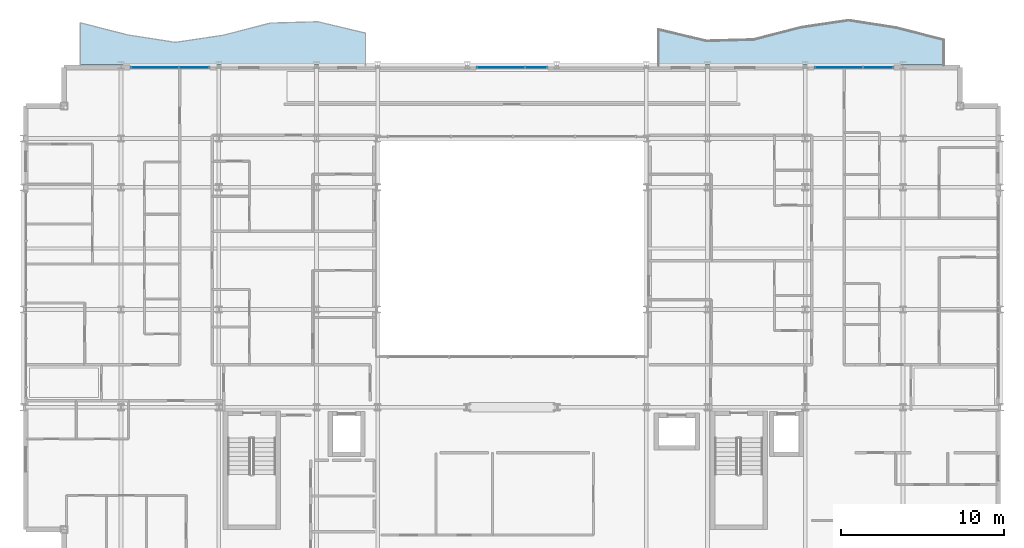
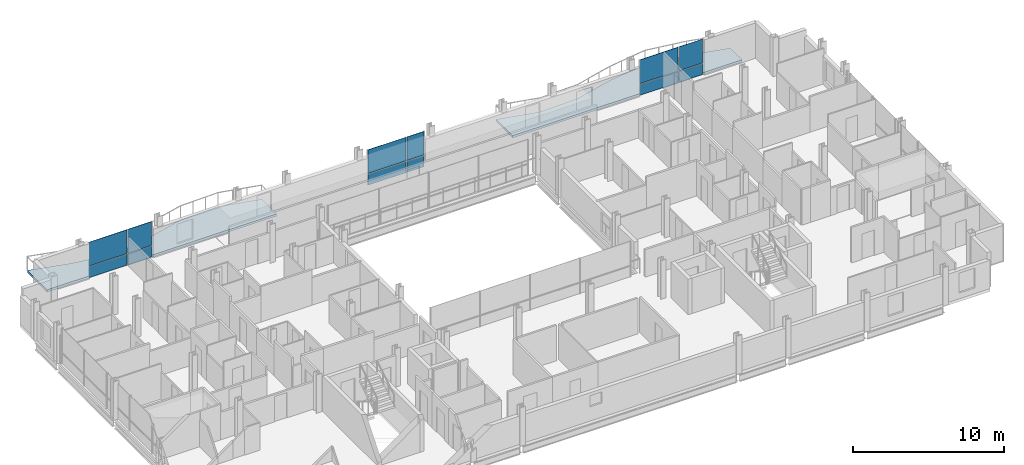
# One storey, part 29 of 40: 12 plates, 2 slabs, 3 elements without a shape of their own.
"""IFC4 building model written with IfcOpenShell, lengths in metres."""

import ifcopenshell
import ifcopenshell.guid

model = None  # the IFC model being written
_history = None  # IfcOwnerHistory: only IFC2X3 demands one
_inside = {}  # id of a spatial element -> (the spatial element, [elements in it])
_under = {}  # id of a project, library or spatial element -> (it, [spatial elements below it])
_declared = {}  # id of a project -> (the project, [libraries it declares])
_typed = {}  # id of a type object -> (the type object, [elements of that type])
_made_of = {}  # id of a material, layer set ... -> (it, [elements and type objects made of it])


def new_model(schema):
    """Start an empty IFC model of exactly this schema.

    Asked for "IFC4X3", IfcOpenShell would pick the latest addendum, in which some entities
    have other attributes; the version numbers below select the first issue.
    IFC2X3 requires an IfcOwnerHistory on every rooted entity: one is made here for all.
    """
    global model, _history
    if schema == "IFC4X3":
        model = ifcopenshell.file(schema_version=(4, 3, 0, 0))
    else:
        model = ifcopenshell.file(schema=schema)
    _inside.clear()
    _under.clear()
    _declared.clear()
    _typed.clear()
    _made_of.clear()
    _history = None
    if model.schema == "IFC2X3":
        org = make("IfcOrganization", Name="unknown")
        user = make(
            "IfcPersonAndOrganization",
            ThePerson=make("IfcPerson", FamilyName="unknown"),
            TheOrganization=org,
        )
        app = make(
            "IfcApplication",
            ApplicationDeveloper=org,
            Version="unknown",
            ApplicationFullName="unknown",
            ApplicationIdentifier="unknown",
        )
        _history = make(
            "IfcOwnerHistory",
            OwningUser=user,
            OwningApplication=app,
            ChangeAction="ADDED",
            CreationDate=0,
        )
    return model


def make(cls, **values):
    """One entity of the class cls with the attributes given. An attribute that is None is left unset."""
    return model.create_entity(
        cls, **{name: value for name, value in values.items() if value is not None}
    )


def rooted(cls, **values):
    """An entity with a GlobalId (a new one), such as an element, a storey or a relation."""
    return make(cls, GlobalId=ifcopenshell.guid.new(), OwnerHistory=_history, **values)


def si_unit(unit_type, name, prefix=None):
    """IfcSIUnit, for example si_unit("LENGTHUNIT", "METRE", prefix="MILLI")."""
    return make("IfcSIUnit", UnitType=unit_type, Prefix=prefix, Name=name)


def assignment(units):
    """IfcUnitAssignment: the units of a project."""
    return None if units is None else make("IfcUnitAssignment", Units=units)


def point(xyz):
    """IfcCartesianPoint."""
    return None if xyz is None else make("IfcCartesianPoint", Coordinates=xyz)


def direction(xyz):
    """IfcDirection."""
    return None if xyz is None else make("IfcDirection", DirectionRatios=xyz)


def frame(location, z_axis=None, x_axis=None):
    """IfcAxis2Placement3D, a coordinate frame: its origin and axes. An axis left out is left unset."""
    return make(
        "IfcAxis2Placement3D",
        Location=point(location),
        Axis=direction(z_axis),
        RefDirection=direction(x_axis),
    )


def frame_2d(location, x_axis=None):
    """IfcAxis2Placement2D, a coordinate frame in the plane: its origin and x axis."""
    return make(
        "IfcAxis2Placement2D", Location=point(location), RefDirection=direction(x_axis)
    )


def origin():
    """The frame at (0, 0, 0) with its axes left unset."""
    return frame((0.0, 0.0, 0.0))


def origin_2d():
    """The frame at (0, 0) in the plane with its x axis left unset."""
    return frame_2d((0.0, 0.0))


def place(relative_to, where):
    """IfcLocalPlacement: puts the frame where relative to a parent placement (None: the world)."""
    return make(
        "IfcLocalPlacement", PlacementRelTo=relative_to, RelativePlacement=where
    )


def context(
    kind, dimensions, precision=None, world=None, true_north=None, identifier=None
):
    """IfcGeometricRepresentationContext, for example the 3D "Model" context."""
    return make(
        "IfcGeometricRepresentationContext",
        ContextIdentifier=identifier,
        ContextType=kind,
        CoordinateSpaceDimension=dimensions,
        Precision=precision,
        WorldCoordinateSystem=world,
        TrueNorth=true_north,
    )


def subcontext(parent, identifier, kind, view, scale=None):
    """IfcGeometricRepresentationSubContext, for example "Body" below "Model"."""
    return make(
        "IfcGeometricRepresentationSubContext",
        ContextIdentifier=identifier,
        ContextType=kind,
        ParentContext=parent,
        TargetScale=scale,
        TargetView=view,
    )


def project(units=None, contexts=None):
    """IfcProject with its units and contexts."""
    return rooted(
        "IfcProject",
        Name="project",
        RepresentationContexts=contexts,
        UnitsInContext=assignment(units),
    )


def spatial(cls, under=None, at=None, **own):
    """A site, building, storey or space (cls), placed at a placement, below another one or the project."""
    s = rooted(cls, ObjectPlacement=at, **own)
    if under is not None:
        _under.setdefault(under.id(), (under, []))[1].append(s)
    return s


def polyline(points):
    """IfcPolyline through the points."""
    return make("IfcPolyline", Points=[point(p) for p in points])


def profile(cls, at=None, kind="AREA", **sizes):
    """A parametric profile (cls). Its sizes go by their IFC names, for example OverallWidth=200.0."""
    return make(cls, ProfileType=kind, Position=at, **sizes)


def rectangle(**sizes):
    """IfcRectangleProfileDef."""
    return profile("IfcRectangleProfileDef", **sizes)


def outline(outer, holes=None, kind="AREA"):
    """IfcArbitraryClosedProfileDef: a profile drawn as a closed curve; with holes, ...WithVoids."""
    if holes is None:
        return make("IfcArbitraryClosedProfileDef", ProfileType=kind, OuterCurve=outer)
    return make(
        "IfcArbitraryProfileDefWithVoids",
        ProfileType=kind,
        OuterCurve=outer,
        InnerCurves=holes,
    )


def extrude(swept, where, along, depth):
    """IfcExtrudedAreaSolid: the profile swept, set in the frame where, extruded along a direction by depth."""
    return make(
        "IfcExtrudedAreaSolid",
        SweptArea=swept,
        Position=where,
        ExtrudedDirection=direction(along),
        Depth=depth,
    )


def shape(context_of_items, identifier, shape_type, items):
    """IfcShapeRepresentation: the items that make up one representation, for example the "Body"."""
    return make(
        "IfcShapeRepresentation",
        ContextOfItems=context_of_items,
        RepresentationIdentifier=identifier,
        RepresentationType=shape_type,
        Items=items,
    )


def material(Name=None, Category=None):
    """IfcMaterial."""
    return make("IfcMaterial", Name=Name, Category=Category)


def layer(
    of_material, thickness, ventilated=None, Name=None, Category=None, Priority=None
):
    """IfcMaterialLayer: one layer of a wall or slab, of a material (None: an air gap)."""
    return make(
        "IfcMaterialLayer",
        Material=of_material,
        LayerThickness=thickness,
        IsVentilated=ventilated,
        Name=Name,
        Category=Category,
        Priority=Priority,
    )


def layer_set(layers, Name=None):
    """IfcMaterialLayerSet."""
    return make("IfcMaterialLayerSet", MaterialLayers=layers, LayerSetName=Name)


def made_of(thing, what):
    """Note that an element or type object is made of a material, layer set ...; save() writes the relation."""
    if what is not None:
        _made_of.setdefault(what.id(), (what, []))[1].append(thing)
    return thing


def type_object(cls, material=None, **own):
    """A type object (cls), such as IfcWallType, which elements share."""
    return made_of(rooted(cls, **own), material)


def element(
    cls,
    number,
    at=None,
    inside=None,
    cuts=None,
    type_object=None,
    material=None,
    context=None,
    identifier="Body",
    shape_type=None,
    held_by="IfcProductDefinitionShape",
    body=None,
    shapes=None,
    **own,
):
    """One element of the class cls, such as IfcWall. Its Tag is "e" and its number.

    at: its placement. inside: the storey or other place that contains it. cuts: it is an
    opening in that element (IfcRelVoidsElement). A single representation is given by context,
    identifier, shape_type and body (its items); several are given by shapes. held_by: the class
    of the entity that holds the representations. save() writes the other relations.
    """
    e = rooted(cls, Tag="e%d" % number, ObjectPlacement=at, **own)
    if body is not None:
        shapes = [shape(context, identifier, shape_type, body)]
    if shapes is not None:
        e.Representation = make(held_by, Representations=shapes)
    if inside is not None:
        _inside.setdefault(inside.id(), (inside, []))[1].append(e)
    if cuts is not None:
        rooted(
            "IfcRelVoidsElement", RelatingBuildingElement=cuts, RelatedOpeningElement=e
        )
    if type_object is not None:
        _typed.setdefault(type_object.id(), (type_object, []))[1].append(e)
    return made_of(e, material)


def aggregate(whole, parts):
    """IfcRelAggregates: a whole, such as a stair, and the parts it consists of."""
    return rooted("IfcRelAggregates", RelatingObject=whole, RelatedObjects=parts)


def save(model, path):
    """Write the relations noted so far, then the file.

    IfcRelAggregates (storeys below a building ...), IfcRelContainedInSpatialStructure (elements
    in a storey), IfcRelDefinesByType, IfcRelAssociatesMaterial and IfcRelDeclares: one each for
    every whole, place, type object, material and project.
    """
    for whole, parts in _under.values():
        aggregate(whole, parts)
    for where, things in _inside.values():
        rooted(
            "IfcRelContainedInSpatialStructure",
            RelatedElements=things,
            RelatingStructure=where,
        )
    for kind, things in _typed.values():
        rooted("IfcRelDefinesByType", RelatedObjects=things, RelatingType=kind)
    for what, things in _made_of.values():
        rooted("IfcRelAssociatesMaterial", RelatedObjects=things, RelatingMaterial=what)
    for by, libraries in _declared.values():
        rooted("IfcRelDeclares", RelatingContext=by, RelatedDefinitions=libraries)
    model.write(path)


model = new_model("IFC4")

# Units and contexts
model_context = context("Model", 3, precision=1e-05, world=origin(), true_north=direction((0.0, 1.0)))
body_context = subcontext(model_context, "Body", "Model", "MODEL_VIEW")
ifc_project = project(units=[si_unit("LENGTHUNIT", "METRE"), si_unit("AREAUNIT", "SQUARE_METRE"), si_unit("VOLUMEUNIT", "CUBIC_METRE"), si_unit("PLANEANGLEUNIT", "RADIAN"), si_unit("MASSUNIT", "GRAM", prefix="KILO")], contexts=[model_context])

# Site, building, storey
site_placement = place(None, origin())
site = spatial("IfcSite", under=ifc_project, at=site_placement, CompositionType="ELEMENT")
building_placement = place(site_placement, origin())
building = spatial("IfcBuilding", under=site, at=building_placement, Name="Brevholm Reach", CompositionType="ELEMENT")
storey_placement = place(building_placement, frame((0.0, 0.0, 131.39990234375)))
storey = spatial("IfcBuildingStorey", under=building, at=storey_placement, Name="L39", CompositionType="ELEMENT", Elevation=131.39990234375)

# Curtain wall, plates
ifc_material_1 = material(Name="Dark Anodised Aluminium 6063-T6 and Solar-Control Glass", Category="aluminium")
ifc_layer_1 = layer(ifc_material_1, 0.14990234375)
ifc_layer_set_1 = layer_set([ifc_layer_1], Name="Dark Anodised Aluminium 6063-T6 and Solar-Control Glass")
curtain_wall_type = type_object("IfcCurtainWallType", Name="CW-01", PredefinedType="NOTDEFINED", material=ifc_layer_set_1)
curtain_wall_1_placement = place(storey_placement, origin())
curtain_wall_1 = element("IfcCurtainWall", 1, at=curtain_wall_1_placement, inside=storey, type_object=curtain_wall_type, Name="L39 Curtain Wall CW-01", PredefinedType="NOTDEFINED")
ifc_material_2 = material(Name="Dark Solar-Control Double-Glazed IGU Glass", Category="glass")
ifc_layer_2 = layer(ifc_material_2, 0.028076171875)
ifc_layer_set_2 = layer_set([ifc_layer_2], Name="Dark Solar-Control Double-Glazed IGU Glass")
plate_type = type_object("IfcPlateType", Name="CWP-GLZ-28", PredefinedType="CURTAIN_PANEL", material=ifc_layer_set_2)
plate_1_placement = place(storey_placement, frame((8.066162109375, 30.85009765625, 0.0), z_axis=(0.0, 0.0, 1.0), x_axis=(1.0, 0.0, 0.0)))
plate_1 = element("IfcPlate", 2, at=plate_1_placement, type_object=plate_type, Name="CP-01 Glazing Panel 1.1", PredefinedType="CURTAIN_PANEL", context=body_context, shape_type="SweptSolid", body=[
    extrude(rectangle(XDim=2.902587890625, YDim=0.028076171875, at=origin_2d()), origin(), (0.0, 0.0, 1.0), 0.867431640625),
])
plate_2_placement = place(storey_placement, frame((8.066162109375, 30.85009765625, 0.9326171875), z_axis=(0.0, 0.0, 1.0), x_axis=(1.0, 0.0, 0.0)))
plate_2 = element("IfcPlate", 3, at=plate_2_placement, type_object=plate_type, Name="CP-01 Glazing Panel 1.2", PredefinedType="CURTAIN_PANEL", context=body_context, shape_type="SweptSolid", body=[
    extrude(rectangle(XDim=2.902587890625, YDim=0.028076171875, at=origin_2d()), origin(), (0.0, 0.0, 1.0), 1.91748046875),
])
plate_3_placement = place(storey_placement, frame((10.483642578125, 30.85009765625, 0.0), z_axis=(0.0, 0.0, 1.0), x_axis=(1.0, 0.0, 0.0)))
plate_3 = element("IfcPlate", 4, at=plate_3_placement, type_object=plate_type, Name="CP-01 Glazing Panel 2.1", PredefinedType="CURTAIN_PANEL", context=body_context, shape_type="SweptSolid", body=[
    extrude(rectangle(XDim=1.802490234375, YDim=0.028076171875, at=origin_2d()), origin(), (0.0, 0.0, 1.0), 0.867431640625),
])
plate_4_placement = place(storey_placement, frame((10.483642578125, 30.85009765625, 0.9326171875), z_axis=(0.0, 0.0, 1.0), x_axis=(1.0, 0.0, 0.0)))
plate_4 = element("IfcPlate", 5, at=plate_4_placement, type_object=plate_type, Name="CP-01 Glazing Panel 2.2", PredefinedType="CURTAIN_PANEL", context=body_context, shape_type="SweptSolid", body=[
    extrude(rectangle(XDim=1.802490234375, YDim=0.028076171875, at=origin_2d()), origin(), (0.0, 0.0, 1.0), 1.91748046875),
])
aggregate(curtain_wall_1, [plate_1, plate_2, plate_3, plate_4])

curtain_wall_2_placement = place(storey_placement, origin())
curtain_wall_2 = element("IfcCurtainWall", 6, at=curtain_wall_2_placement, inside=storey, type_object=curtain_wall_type, Name="L39 Curtain Wall CW-01", PredefinedType="NOTDEFINED")
plate_5_placement = place(storey_placement, frame((29.316162109375, 30.85009765625, 0.0), z_axis=(0.0, 0.0, 1.0), x_axis=(1.0, 0.0, 0.0)))
plate_5 = element("IfcPlate", 7, at=plate_5_placement, type_object=plate_type, Name="CP-01 Glazing Panel 1.1", PredefinedType="CURTAIN_PANEL", context=body_context, shape_type="SweptSolid", body=[
    extrude(rectangle(XDim=2.902587890625, YDim=0.028076171875, at=origin_2d()), origin(), (0.0, 0.0, 1.0), 0.867431640625),
])
plate_6_placement = place(storey_placement, frame((29.316162109375, 30.85009765625, 0.9326171875), z_axis=(0.0, 0.0, 1.0), x_axis=(1.0, 0.0, 0.0)))
plate_6 = element("IfcPlate", 8, at=plate_6_placement, type_object=plate_type, Name="CP-01 Glazing Panel 1.2", PredefinedType="CURTAIN_PANEL", context=body_context, shape_type="SweptSolid", body=[
    extrude(rectangle(XDim=2.902587890625, YDim=0.028076171875, at=origin_2d()), origin(), (0.0, 0.0, 1.0), 1.91748046875),
])
plate_7_placement = place(storey_placement, frame((31.483642578125, 30.85009765625, 0.0), z_axis=(0.0, 0.0, 1.0), x_axis=(1.0, 0.0, 0.0)))
plate_7 = element("IfcPlate", 9, at=plate_7_placement, type_object=plate_type, Name="CP-01 Glazing Panel 2.1", PredefinedType="CURTAIN_PANEL", context=body_context, shape_type="SweptSolid", body=[
    extrude(rectangle(XDim=1.302490234375, YDim=0.028076171875, at=origin_2d()), origin(), (0.0, 0.0, 1.0), 0.867431640625),
])
plate_8_placement = place(storey_placement, frame((31.483642578125, 30.85009765625, 0.9326171875), z_axis=(0.0, 0.0, 1.0), x_axis=(1.0, 0.0, 0.0)))
plate_8 = element("IfcPlate", 10, at=plate_8_placement, type_object=plate_type, Name="CP-01 Glazing Panel 2.2", PredefinedType="CURTAIN_PANEL", context=body_context, shape_type="SweptSolid", body=[
    extrude(rectangle(XDim=1.302490234375, YDim=0.028076171875, at=origin_2d()), origin(), (0.0, 0.0, 1.0), 1.91748046875),
])
aggregate(curtain_wall_2, [plate_5, plate_6, plate_7, plate_8])

curtain_wall_3_placement = place(storey_placement, origin())
curtain_wall_3 = element("IfcCurtainWall", 11, at=curtain_wall_3_placement, inside=storey, type_object=curtain_wall_type, Name="L39 Curtain Wall CW-01", PredefinedType="NOTDEFINED")
plate_9_placement = place(storey_placement, frame((50.066162109375, 30.85009765625, 0.0), z_axis=(0.0, 0.0, 1.0), x_axis=(1.0, 0.0, 0.0)))
plate_9 = element("IfcPlate", 12, at=plate_9_placement, type_object=plate_type, Name="CP-01 Glazing Panel 1.1", PredefinedType="CURTAIN_PANEL", context=body_context, shape_type="SweptSolid", body=[
    extrude(rectangle(XDim=2.902587890625, YDim=0.028076171875, at=origin_2d()), origin(), (0.0, 0.0, 1.0), 0.867431640625),
])
plate_10_placement = place(storey_placement, frame((50.066162109375, 30.85009765625, 0.9326171875), z_axis=(0.0, 0.0, 1.0), x_axis=(1.0, 0.0, 0.0)))
plate_10 = element("IfcPlate", 13, at=plate_10_placement, type_object=plate_type, Name="CP-01 Glazing Panel 1.2", PredefinedType="CURTAIN_PANEL", context=body_context, shape_type="SweptSolid", body=[
    extrude(rectangle(XDim=2.902587890625, YDim=0.028076171875, at=origin_2d()), origin(), (0.0, 0.0, 1.0), 1.91748046875),
])
plate_11_placement = place(storey_placement, frame((52.483642578125, 30.85009765625, 0.0), z_axis=(0.0, 0.0, 1.0), x_axis=(1.0, 0.0, 0.0)))
plate_11 = element("IfcPlate", 14, at=plate_11_placement, type_object=plate_type, Name="CP-01 Glazing Panel 2.1", PredefinedType="CURTAIN_PANEL", context=body_context, shape_type="SweptSolid", body=[
    extrude(rectangle(XDim=1.802490234375, YDim=0.028076171875, at=origin_2d()), origin(), (0.0, 0.0, 1.0), 0.867431640625),
])
plate_12_placement = place(storey_placement, frame((52.483642578125, 30.85009765625, 0.9326171875), z_axis=(0.0, 0.0, 1.0), x_axis=(1.0, 0.0, 0.0)))
plate_12 = element("IfcPlate", 15, at=plate_12_placement, type_object=plate_type, Name="CP-01 Glazing Panel 2.2", PredefinedType="CURTAIN_PANEL", context=body_context, shape_type="SweptSolid", body=[
    extrude(rectangle(XDim=1.802490234375, YDim=0.028076171875, at=origin_2d()), origin(), (0.0, 0.0, 1.0), 1.91748046875),
])
aggregate(curtain_wall_3, [plate_9, plate_10, plate_11, plate_12])

# Slabs
ifc_material_3 = material(Name="Precast Concrete C40/50", Category="concrete")
ifc_layer_3 = layer(ifc_material_3, 0.179931640625)
ifc_layer_set_3 = layer_set([ifc_layer_3], Name="Precast Concrete C40/50")
slab_type = type_object("IfcSlabType", Name="SLB-BAL-180", PredefinedType="FLOOR", material=ifc_layer_set_3)
slab_1_placement = place(storey_placement, frame((0.0, 0.0, -0.179931640625)))
element("IfcSlab", 16, at=slab_1_placement, inside=storey, type_object=slab_type, Name="L39 Rippling External Balcony NE", PredefinedType="FLOOR", context=body_context, shape_type="SweptSolid", body=[
    extrude(outline(polyline([(39.0, 31.0), (56.5, 31.0), (56.5, 32.55029296875), (53.583251953125, 33.294921875), (50.666748046875, 33.75), (47.75, 33.31689453125), (44.833251953125, 32.565673828125), (41.916748046875, 32.484619140625), (39.0, 33.1806640625), (39.0, 31.0)])), origin(), (0.0, 0.0, 1.0), 0.179931640625),
])
slab_2_placement = place(storey_placement, frame((0.0, 0.0, -0.179931640625)))
element("IfcSlab", 17, at=slab_2_placement, inside=storey, type_object=slab_type, Name="L39 Rippling External Balcony NW", PredefinedType="FLOOR", context=body_context, shape_type="SweptSolid", body=[
    extrude(outline(polyline([(3.5, 31.0), (21.0, 31.0), (21.0, 32.969482421875), (18.083251953125, 33.665283203125), (15.166748046875, 33.58447265625), (12.25, 32.8330078125), (9.333251953125, 32.400146484375), (6.416748046875, 32.855224609375), (3.5, 33.599609375), (3.5, 31.0)])), origin(), (0.0, 0.0, 1.0), 0.179931640625),
])

save(model, "model.ifc")
